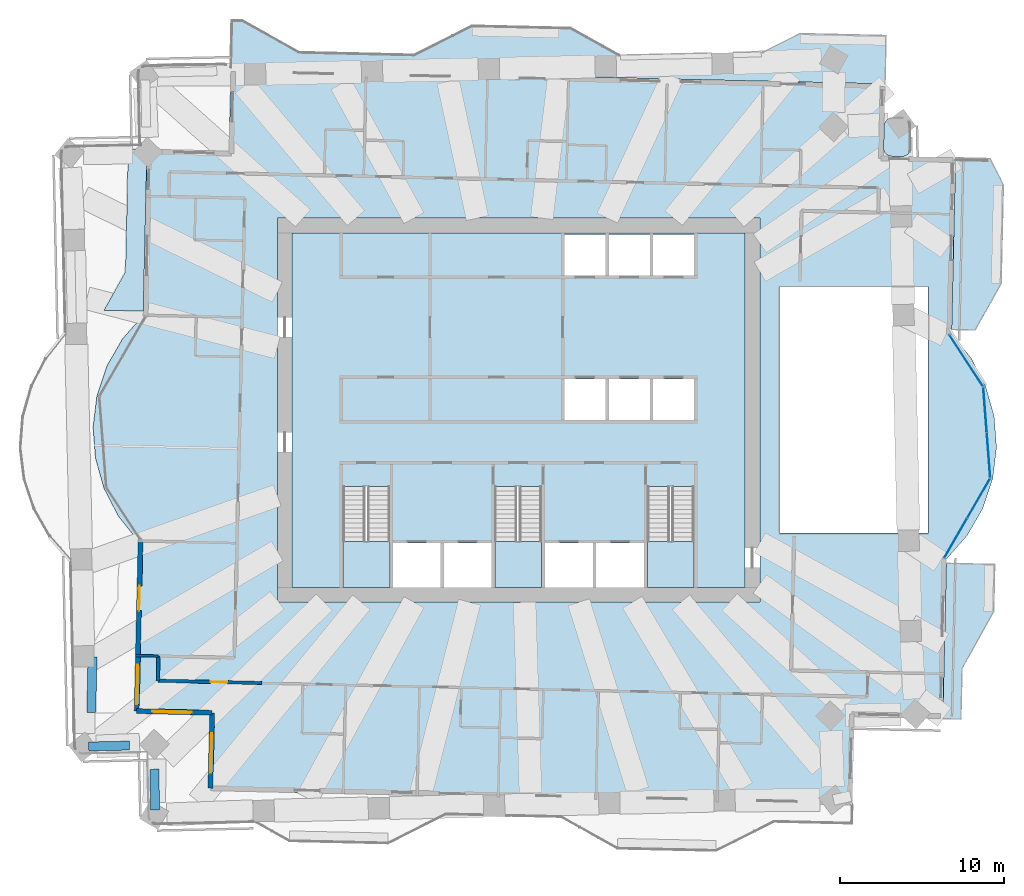
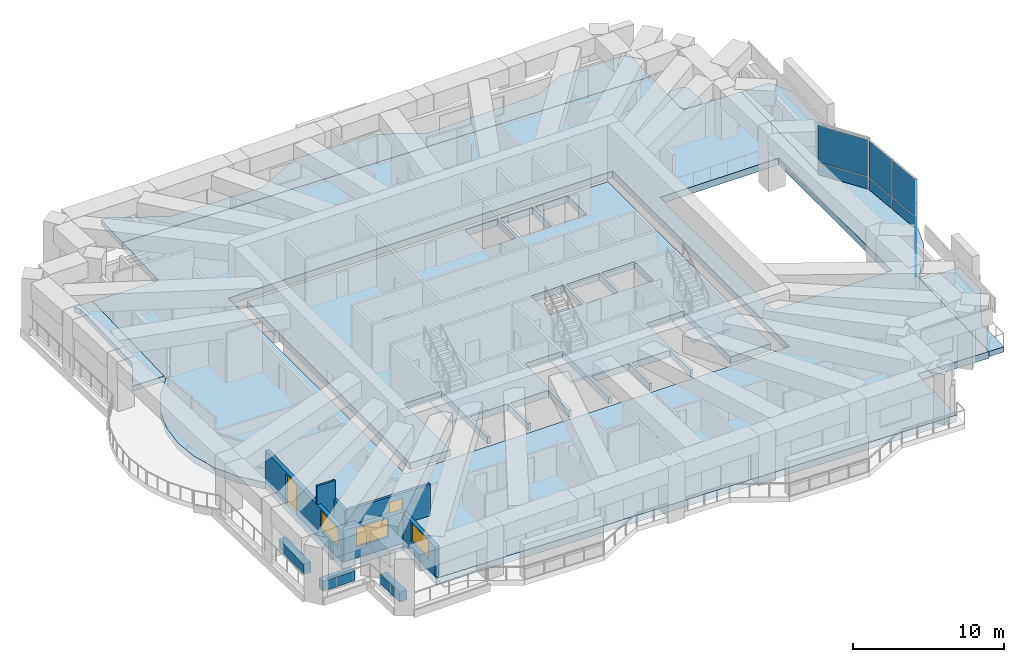
# One storey, part 7 of 17: 10 plates, 10 slabs, 9 walls, 3 windows, 2 doors, 5 openings, 6 elements without a shape of their own.
"""IFC4 building model written with IfcOpenShell, lengths in metres."""

from ifc_helpers import new_model, si_unit, direction, frame, frame_2d, origin, origin_2d, place, context, subcontext, project, spatial, polyline, rectangle, outline, extrude, material, layer, layer_set, type_object, element, fill, aggregate, save


model = new_model("IFC4")

# Units and contexts
model_context = context("Model", 3, precision=1e-05, world=origin(), true_north=direction((0.0, 1.0)))
body_context = subcontext(model_context, "Body", "Model", "MODEL_VIEW")
ifc_project = project(units=[si_unit("LENGTHUNIT", "METRE"), si_unit("AREAUNIT", "SQUARE_METRE"), si_unit("VOLUMEUNIT", "CUBIC_METRE"), si_unit("PLANEANGLEUNIT", "RADIAN"), si_unit("MASSUNIT", "GRAM", prefix="KILO")], contexts=[model_context])

# Site, building, storey
site_placement = place(None, origin())
site = spatial("IfcSite", under=ifc_project, at=site_placement, CompositionType="ELEMENT")
building_placement = place(site_placement, origin())
building = spatial("IfcBuilding", under=site, at=building_placement, Name="Mangrove Gate Tower", CompositionType="ELEMENT")
storey_placement = place(building_placement, frame((0.0, 0.0, 148.10009765625)))
storey = spatial("IfcBuildingStorey", under=building, at=storey_placement, Name="L37", CompositionType="ELEMENT", Elevation=148.10009765625)

# Slabs
ifc_material_1 = material(Name="Porcelain tile")
ifc_layer_1 = layer(ifc_material_1, 0.02001953125, Name="Tile finish")
ifc_material_2 = material(Name="Cement sand screed")
ifc_layer_2 = layer(ifc_material_2, 0.0400390625, Name="Screed laid to falls")
ifc_material_3 = material(Name="Bituminous waterproofing membrane")
ifc_layer_3 = layer(ifc_material_3, 0.00390625, Name="Waterproofing")
ifc_material_4 = material(Name="Concrete C40/50", Category="concrete")
ifc_layer_4 = layer(ifc_material_4, 0.340087890625, Name="Balcony structural slab")
ifc_material_5 = material(Name="Limestone", Category="masonry")
ifc_layer_5 = layer(ifc_material_5, 0.01611328125, Name="Soffit lining")
ifc_layer_set_1 = layer_set([ifc_layer_1, ifc_layer_2, ifc_layer_3, ifc_layer_4, ifc_layer_5], Name="Balcony slab 420 C40/50")
slab_type_1 = type_object("IfcSlabType", Name="Balcony slab 420 C40/50", PredefinedType="FLOOR", material=ifc_layer_set_1)
slab_1_placement = place(storey_placement, frame((0.0, 0.0, -0.420166015625)))
element("IfcSlab", 1, at=slab_1_placement, inside=storey, type_object=slab_type_1, Name="BALCONY L37 E0", PredefinedType="FLOOR", context=body_context, shape_type="SweptSolid", body=[
    extrude(outline(polyline([(26.9970703125, -18.8310546875), (27.06689453125, -15.73095703125), (28.99609375, -12.27392578125), (29.06103515625, -9.39990234375), (26.072021484375, -9.3330078125), (26.007080078125, -12.2060546875), (25.927001953125, -15.7060546875), (25.85693359375, -18.804931640625), (26.9970703125, -18.8310546875)])), origin(), (0.0, 0.0, 1.0), 0.420166015625),
])
slab_2_placement = place(storey_placement, frame((0.0, 0.0, -0.420166015625)))
element("IfcSlab", 2, at=slab_2_placement, inside=storey, type_object=slab_type_1, Name="BALCONY L37 E1", PredefinedType="FLOOR", context=body_context, shape_type="SweptSolid", body=[
    extrude(outline(polyline([(27.864990234375, 4.881103515625), (29.449951171875, 7.720947265625), (29.5859375, 13.718994140625), (28.777099609375, 15.337890625), (26.633056640625, 15.385986328125), (26.596923828125, 13.787109375), (26.4609375, 7.7880859375), (26.39501953125, 4.9140625), (27.864990234375, 4.881103515625)])), origin(), (0.0, 0.0, 1.0), 0.420166015625),
])
slab_3_placement = place(storey_placement, frame((0.0, 0.0, -0.420166015625)))
element("IfcSlab", 3, at=slab_3_placement, inside=storey, type_object=slab_type_1, Name="BALCONY L37 N0", PredefinedType="FLOOR", context=body_context, shape_type="SweptSolid", body=[
    extrude(outline(polyline([(22.333984375, 19.885009765625), (22.402099609375, 22.8740234375), (17.1630859375, 22.992919921875), (14.798095703125, 21.81201171875), (14.79296875, 21.81201171875), (14.7880859375, 21.81689453125), (14.785888671875, 21.821044921875), (14.787109375, 21.827880859375), (6.215087890625, 21.633056640625), (6.216064453125, 21.626953125), (6.214111328125, 21.6220703125), (6.2099609375, 21.618896484375), (6.205078125, 21.617919921875), (6.198974609375, 21.618896484375), (3.1669921875, 23.31103515625), (-2.83203125, 23.447021484375), (-6.3740234375, 21.677978515625), (-13.367919921875, 21.8359375), (-13.373046875, 21.8369140625), (-16.827880859375, 23.764892578125), (-17.468017578125, 23.779052734375), (-17.535888671875, 20.7900390625), (22.333984375, 19.885009765625)])), origin(), (0.0, 0.0, 1.0), 0.420166015625),
])
slab_4_placement = place(storey_placement, frame((0.0, 0.0, -0.420166015625)))
element("IfcSlab", 4, at=slab_4_placement, inside=storey, type_object=slab_type_1, Name="BALCONY L37 W0", PredefinedType="FLOOR", context=body_context, shape_type="SweptSolid", body=[
    extrude(outline(polyline([(-24.052001953125, 15.93603515625), (-23.799072265625, 15.430908203125), (-23.9580078125, 8.431884765625), (-25.26708984375, 6.0869140625), (-22.8720703125, 6.032958984375), (-22.818115234375, 8.406982421875), (-22.658935546875, 15.405029296875), (-22.64794921875, 15.905029296875), (-24.052001953125, 15.93603515625)])), origin(), (0.0, 0.0, 1.0), 0.420166015625),
])
ifc_material_6 = material(Name="Concrete C40/50", Category="concrete")
ifc_layer_6 = layer(ifc_material_6, 0.550048828125)
ifc_layer_set_2 = layer_set([ifc_layer_6], Name="Core floor slab 550 C40/50")
slab_type_2 = type_object("IfcSlabType", Name="Core floor slab 550 C40/50", PredefinedType="FLOOR", material=ifc_layer_set_2)
slab_5_placement = place(storey_placement, frame((0.0, 0.0, -0.550048828125)))
element("IfcSlab", 5, at=slab_5_placement, inside=storey, type_object=slab_type_2, Name="SLAB-L37-CORE-1", PredefinedType="FLOOR", context=body_context, shape_type="SweptSolid", body=[
    extrude(outline(polyline([(-13.800048828125, -10.800048828125), (-13.800048828125, 10.800048828125), (13.800048828125, 10.800048828125), (13.800048828125, -10.800048828125), (10.699951171875, -10.800048828125), (10.699951171875, -4.653076171875), (7.85009765625, -4.653076171875), (7.85009765625, -10.800048828125), (7.64990234375, -10.800048828125), (7.64990234375, -8.10009765625), (4.72509765625, -8.10009765625), (4.72509765625, -10.800048828125), (4.52490234375, -10.800048828125), (4.52490234375, -8.10009765625), (1.60009765625, -8.10009765625), (1.60009765625, -10.800048828125), (1.39990234375, -10.800048828125), (1.39990234375, -4.653076171875), (-1.449951171875, -4.653076171875), (-1.449951171875, -10.800048828125), (-1.64990234375, -10.800048828125), (-1.64990234375, -8.10009765625), (-4.550048828125, -8.10009765625), (-4.550048828125, -10.800048828125), (-4.75, -10.800048828125), (-4.75, -8.10009765625), (-7.64990234375, -8.10009765625), (-7.64990234375, -10.800048828125), (-7.85009765625, -10.800048828125), (-7.85009765625, -4.653076171875), (-10.699951171875, -4.653076171875), (-10.699951171875, -10.800048828125), (-13.800048828125, -10.800048828125)]), holes=[polyline([(5.300048828125, -0.60009765625), (5.300048828125, 1.89990234375), (2.800048828125, 1.89990234375), (2.800048828125, -0.60009765625), (5.300048828125, -0.60009765625)]), polyline([(5.300048828125, 10.699951171875), (2.800048828125, 10.699951171875), (2.800048828125, 8.199951171875), (5.300048828125, 8.199951171875), (5.300048828125, 10.699951171875)]), polyline([(8.0, -0.60009765625), (8.0, 1.89990234375), (5.5, 1.89990234375), (5.5, -0.60009765625), (8.0, -0.60009765625)]), polyline([(10.699951171875, -0.60009765625), (10.699951171875, 1.89990234375), (8.199951171875, 1.89990234375), (8.199951171875, -0.60009765625), (10.699951171875, -0.60009765625)]), polyline([(8.0, 8.199951171875), (8.0, 10.699951171875), (5.5, 10.699951171875), (5.5, 8.199951171875), (8.0, 8.199951171875)]), polyline([(10.699951171875, 8.199951171875), (10.699951171875, 10.699951171875), (8.199951171875, 10.699951171875), (8.199951171875, 8.199951171875), (10.699951171875, 8.199951171875)])]), origin(), (0.0, 0.0, 1.0), 0.550048828125),
])

# Stair, slab
ifc_material_7 = material(Name="Concrete C40/50", Category="concrete")
stair_type = type_object("IfcStairType", Name="Core stair 1350", PredefinedType="HALF_TURN_STAIR", material=ifc_material_7)
stair_1_placement = place(storey_placement, origin())
stair_1 = element("IfcStair", 6, at=stair_1_placement, inside=storey, type_object=stair_type, Name="L37 Stair 1", PredefinedType="HALF_TURN_STAIR")
ifc_material_8 = material(Name="Concrete C40/50", Category="concrete")
ifc_layer_7 = layer(ifc_material_8, 0.199951171875)
ifc_layer_set_3 = layer_set([ifc_layer_7], Name="Core stair landing 200")
slab_type_3 = type_object("IfcSlabType", Name="Core stair landing 200", PredefinedType="LANDING", material=ifc_layer_set_3)
slab_6_placement = place(storey_placement, frame((0.0, 0.0, 2.099853515625)))
slab_6 = element("IfcSlab", 7, at=slab_6_placement, type_object=slab_type_3, Name="ST1 landing 1", PredefinedType="LANDING", context=body_context, shape_type="SweptSolid", body=[
    extrude(outline(polyline([(-10.699951171875, -8.010009765625), (-10.699951171875, -10.800048828125), (-7.85009765625, -10.800048828125), (-7.85009765625, -8.010009765625), (-10.699951171875, -8.010009765625)])), origin(), (0.0, 0.0, 1.0), 0.199951171875),
])
aggregate(stair_1, [slab_6])

stair_2_placement = place(storey_placement, origin())
stair_2 = element("IfcStair", 8, at=stair_2_placement, inside=storey, type_object=stair_type, Name="L37 Stair 2", PredefinedType="HALF_TURN_STAIR")
slab_7_placement = place(storey_placement, frame((0.0, 0.0, 2.099853515625)))
slab_7 = element("IfcSlab", 9, at=slab_7_placement, type_object=slab_type_3, Name="ST2 landing 1", PredefinedType="LANDING", context=body_context, shape_type="SweptSolid", body=[
    extrude(outline(polyline([(-1.449951171875, -8.010009765625), (-1.449951171875, -10.800048828125), (1.39990234375, -10.800048828125), (1.39990234375, -8.010009765625), (-1.449951171875, -8.010009765625)])), origin(), (0.0, 0.0, 1.0), 0.199951171875),
])
aggregate(stair_2, [slab_7])

stair_3_placement = place(storey_placement, origin())
stair_3 = element("IfcStair", 10, at=stair_3_placement, inside=storey, type_object=stair_type, Name="L37 Stair 3", PredefinedType="HALF_TURN_STAIR")
slab_8_placement = place(storey_placement, frame((0.0, 0.0, 2.099853515625)))
slab_8 = element("IfcSlab", 11, at=slab_8_placement, type_object=slab_type_3, Name="ST3 landing 1", PredefinedType="LANDING", context=body_context, shape_type="SweptSolid", body=[
    extrude(outline(polyline([(7.85009765625, -8.010009765625), (7.85009765625, -10.800048828125), (10.699951171875, -10.800048828125), (10.699951171875, -8.010009765625), (7.85009765625, -8.010009765625)])), origin(), (0.0, 0.0, 1.0), 0.199951171875),
])
aggregate(stair_3, [slab_8])

# Slab
ifc_material_9 = material(Name="Concrete C40/50", Category="concrete")
ifc_layer_8 = layer(ifc_material_9, 0.550048828125)
ifc_layer_set_4 = layer_set([ifc_layer_8], Name="Floor slab 550 C40/50")
slab_type_4 = type_object("IfcSlabType", Name="Floor slab 550 C40/50", PredefinedType="FLOOR", material=ifc_layer_set_4)
slab_9_placement = place(storey_placement, frame((0.0, 0.0, -0.550048828125)))
element("IfcSlab", 12, at=slab_9_placement, inside=storey, type_object=slab_type_4, Name="Floor slab L37", PredefinedType="FLOOR", context=body_context, shape_type="SweptSolid", body=[
    extrude(outline(polyline([(-18.93408203125, -23.189697265625), (20.3359375, -24.080810546875), (20.45849609375, -18.68212890625), (25.85693359375, -18.8046875), (26.07763671875, -9.08251953125), (27.340576171875, -7.64599609375), (28.293701171875, -5.98779296875), (28.899169921875, -4.17333984375), (29.1328125, -2.27490234375), (28.985595703125, -0.36767578125), (28.463134765625, 1.472412109375), (27.586181640625, 3.172119140625), (26.3896484375, 4.66455078125), (26.633056640625, 15.386474609375), (22.234130859375, 15.486328125), (22.333984375, 19.88525390625), (-17.535888671875, 20.789794921875), (-17.649169921875, 15.791259765625), (-22.64794921875, 15.904541015625), (-22.877685546875, 5.782470703125), (-24.140625, 4.345947265625), (-25.09375, 2.687744140625), (-25.69921875, 0.873291015625), (-25.932861328125, -1.025146484375), (-25.78564453125, -2.932373046875), (-25.26318359375, -4.772216796875), (-24.38623046875, -6.47216796875), (-23.189697265625, -7.964599609375), (-23.428466796875, -18.486572265625), (-18.82958984375, -18.5908203125), (-18.93408203125, -23.189697265625)]), holes=[polyline([(15.89990234375, 7.5), (24.964111328125, 7.5), (24.964111328125, -7.5), (15.89990234375, -7.5), (15.89990234375, 7.5)]), polyline([(-14.699951171875, -11.699951171875), (-14.699951171875, 11.699951171875), (14.699951171875, 11.699951171875), (14.699951171875, -11.699951171875), (-14.699951171875, -11.699951171875)])]), origin(), (0.0, 0.0, 1.0), 0.550048828125),
])

# Curtain wall, plates
ifc_material_10 = material(Name="Aluminium and glass curtain wall", Category="aluminium")
curtain_wall_type = type_object("IfcCurtainWallType", Name="Sky-lounge glazing wall", PredefinedType="NOTDEFINED", material=ifc_material_10)
curtain_wall_1_placement = place(storey_placement, origin())
curtain_wall_1 = element("IfcCurtainWall", 13, at=curtain_wall_1_placement, inside=storey, type_object=curtain_wall_type, Name="Sky-lounge glazing E1f1", PredefinedType="NOTDEFINED")
ifc_material_11 = material(Name="Laminated low-e glass", Category="glass")
ifc_layer_9 = layer(ifc_material_11, 0.030029296875)
ifc_layer_set_5 = layer_set([ifc_layer_9], Name="Sky-lounge glazing panel 30")
plate_type = type_object("IfcPlateType", Name="Sky-lounge glazing panel 30", PredefinedType="CURTAIN_PANEL", material=ifc_layer_set_5)
plate_1_placement = place(storey_placement, frame((26.642333984375, -7.79052734375, 0.0), z_axis=(0.0, 0.0, 1.0), x_axis=(0.500418160284, 0.865783844189, 0.0)))
plate_1 = element("IfcPlate", 14, at=plate_1_placement, type_object=plate_type, Name="CWK panel 1.1", PredefinedType="CURTAIN_PANEL", context=body_context, shape_type="SweptSolid", body=[
    extrude(rectangle(XDim=2.73095703125, YDim=0.030029296875, at=origin_2d()), origin(), (0.0, 0.0, 1.0), 0.969970703125),
])
plate_2_placement = place(storey_placement, frame((26.642333984375, -7.79052734375, 1.030029296875), z_axis=(0.0, 0.0, 1.0), x_axis=(0.500418160284, 0.865783844189, 0.0)))
plate_2 = element("IfcPlate", 15, at=plate_2_placement, type_object=plate_type, Name="CWK panel 1.2", PredefinedType="CURTAIN_PANEL", context=body_context, shape_type="SweptSolid", body=[
    extrude(rectangle(XDim=2.73095703125, YDim=0.030029296875, at=origin_2d()), origin(), (0.0, 0.0, 1.0), 2.9599609375),
])
plate_3_placement = place(storey_placement, frame((28.038818359375, -5.3740234375, 0.0), z_axis=(0.0, 0.0, 1.0), x_axis=(0.500418160284, 0.865783844189, 0.0)))
plate_3 = element("IfcPlate", 16, at=plate_3_placement, type_object=plate_type, Name="CWK panel 2.1", PredefinedType="CURTAIN_PANEL", context=body_context, shape_type="SweptSolid", body=[
    extrude(rectangle(XDim=2.73095703125, YDim=0.030029296875, at=origin_2d()), origin(), (0.0, 0.0, 1.0), 0.969970703125),
])
plate_4_placement = place(storey_placement, frame((28.038818359375, -5.3740234375, 1.030029296875), z_axis=(0.0, 0.0, 1.0), x_axis=(0.500418160284, 0.865783844189, 0.0)))
plate_4 = element("IfcPlate", 17, at=plate_4_placement, type_object=plate_type, Name="CWK panel 2.2", PredefinedType="CURTAIN_PANEL", context=body_context, shape_type="SweptSolid", body=[
    extrude(rectangle(XDim=2.73095703125, YDim=0.030029296875, at=origin_2d()), origin(), (0.0, 0.0, 1.0), 2.9599609375),
])
aggregate(curtain_wall_1, [plate_1, plate_2, plate_3, plate_4])

curtain_wall_2_placement = place(storey_placement, origin())
curtain_wall_2 = element("IfcCurtainWall", 18, at=curtain_wall_2_placement, inside=storey, type_object=curtain_wall_type, Name="Sky-lounge glazing E1f2", PredefinedType="NOTDEFINED")
plate_5_placement = place(storey_placement, frame((28.643798828125, -2.73583984375, 0.0), z_axis=(0.0, 0.0, 1.0), x_axis=(-0.077023348403, 0.997029289339, 0.0)))
plate_5 = element("IfcPlate", 19, at=plate_5_placement, type_object=plate_type, Name="CWK panel 1.1", PredefinedType="CURTAIN_PANEL", context=body_context, shape_type="SweptSolid", body=[
    extrude(rectangle(XDim=2.69677734375, YDim=0.030029296875, at=origin_2d()), origin(), (0.0, 0.0, 1.0), 0.969970703125),
])
plate_6_placement = place(storey_placement, frame((28.643798828125, -2.73583984375, 1.030029296875), z_axis=(0.0, 0.0, 1.0), x_axis=(-0.077023348403, 0.997029289339, 0.0)))
plate_6 = element("IfcPlate", 20, at=plate_6_placement, type_object=plate_type, Name="CWK panel 1.2", PredefinedType="CURTAIN_PANEL", context=body_context, shape_type="SweptSolid", body=[
    extrude(rectangle(XDim=2.69677734375, YDim=0.030029296875, at=origin_2d()), origin(), (0.0, 0.0, 1.0), 2.9599609375),
])
plate_7_placement = place(storey_placement, frame((28.431396484375, 0.0126953125, 0.0), z_axis=(0.0, 0.0, 1.0), x_axis=(-0.077023348403, 0.997029289339, 0.0)))
plate_7 = element("IfcPlate", 21, at=plate_7_placement, type_object=plate_type, Name="CWK panel 2.1", PredefinedType="CURTAIN_PANEL", context=body_context, shape_type="SweptSolid", body=[
    extrude(rectangle(XDim=2.69677734375, YDim=0.030029296875, at=origin_2d()), origin(), (0.0, 0.0, 1.0), 0.969970703125),
])
plate_8_placement = place(storey_placement, frame((28.431396484375, 0.0126953125, 1.030029296875), z_axis=(0.0, 0.0, 1.0), x_axis=(-0.077023348403, 0.997029289339, 0.0)))
plate_8 = element("IfcPlate", 22, at=plate_8_placement, type_object=plate_type, Name="CWK panel 2.2", PredefinedType="CURTAIN_PANEL", context=body_context, shape_type="SweptSolid", body=[
    extrude(rectangle(XDim=2.69677734375, YDim=0.030029296875, at=origin_2d()), origin(), (0.0, 0.0, 1.0), 2.9599609375),
])
aggregate(curtain_wall_2, [plate_5, plate_6, plate_7, plate_8])

curtain_wall_3_placement = place(storey_placement, origin())
curtain_wall_3 = element("IfcCurtainWall", 23, at=curtain_wall_3_placement, inside=storey, type_object=curtain_wall_type, Name="Sky-lounge glazing E1f3", PredefinedType="NOTDEFINED")
plate_9_placement = place(storey_placement, frame((27.28076171875, 3.01513671875, 0.0), z_axis=(0.0, 0.0, 1.0), x_axis=(-0.546235085045, 0.837631919083, 0.0)))
plate_9 = element("IfcPlate", 24, at=plate_9_placement, type_object=plate_type, Name="CWK panel 1.1", PredefinedType="CURTAIN_PANEL", context=body_context, shape_type="SweptSolid", body=[
    extrude(rectangle(XDim=3.696044921875, YDim=0.030029296875, at=origin_2d()), origin(), (0.0, 0.0, 1.0), 0.969970703125),
])
plate_10_placement = place(storey_placement, frame((27.28076171875, 3.01513671875, 1.030029296875), z_axis=(0.0, 0.0, 1.0), x_axis=(-0.546235085045, 0.837631919083, 0.0)))
plate_10 = element("IfcPlate", 25, at=plate_10_placement, type_object=plate_type, Name="CWK panel 1.2", PredefinedType="CURTAIN_PANEL", context=body_context, shape_type="SweptSolid", body=[
    extrude(rectangle(XDim=3.696044921875, YDim=0.030029296875, at=origin_2d()), origin(), (0.0, 0.0, 1.0), 2.9599609375),
])
aggregate(curtain_wall_3, [plate_9, plate_10])

# Slab
ifc_material_12 = material(Name="Granite", Category="masonry")
ifc_layer_10 = layer(ifc_material_12, 0.030029296875, Name="Granite paving")
ifc_layer_11 = layer(ifc_material_2, 0.0400390625, Name="Bedding screed")
ifc_layer_12 = layer(ifc_material_3, 0.0048828125, Name="Waterproofing")
ifc_material_13 = material(Name="Extruded polystyrene insulation")
ifc_layer_13 = layer(ifc_material_13, 0.0400390625, Name="Insulation")
ifc_layer_14 = layer(ifc_material_4, 0.304931640625, Name="Terrace structural slab")
ifc_layer_set_6 = layer_set([ifc_layer_10, ifc_layer_11, ifc_layer_12, ifc_layer_13, ifc_layer_14], Name="Terrace slab C40/50")
slab_type_5 = type_object("IfcSlabType", Name="Terrace slab C40/50", PredefinedType="FLOOR", material=ifc_layer_set_6)
slab_10_placement = place(storey_placement, frame((0.0, 0.0, -0.420166015625)))
element("IfcSlab", 26, at=slab_10_placement, inside=storey, type_object=slab_type_5, Name="TERRACE L37 1", PredefinedType="FLOOR", context=body_context, shape_type="SweptSolid", body=[
    extrude(outline(polyline([(23.3369140625, 17.821044921875), (22.763916015625, 17.80810546875), (22.717041015625, 17.803955078125), (22.669921875, 17.797119140625), (22.6240234375, 17.783935546875), (22.5791015625, 17.76806640625), (22.535888671875, 17.7470703125), (22.4951171875, 17.721923828125), (22.45703125, 17.693115234375), (22.422119140625, 17.660888671875), (22.389892578125, 17.6259765625), (22.361083984375, 17.587890625), (22.3369140625, 17.547119140625), (22.31591796875, 17.50390625), (22.299072265625, 17.4599609375), (22.287109375, 17.4140625), (22.279052734375, 17.366943359375), (22.27587890625, 17.319091796875), (22.2451171875, 15.986083984375), (22.2470703125, 15.93701171875), (22.2529296875, 15.887939453125), (22.263916015625, 15.841064453125), (22.279052734375, 15.7939453125), (22.299072265625, 15.7490234375), (22.322998046875, 15.70703125), (22.35205078125, 15.666015625), (22.384033203125, 15.62890625), (22.4189453125, 15.595947265625), (22.4580078125, 15.56494140625), (22.5, 15.5390625), (22.5439453125, 15.51708984375), (22.589111328125, 15.5), (22.636962890625, 15.487060546875), (22.68505859375, 15.47802734375), (22.73388671875, 15.47509765625), (23.367919921875, 15.4609375), (23.41796875, 15.4619140625), (23.468017578125, 15.468017578125), (23.51708984375, 15.47998046875), (23.56494140625, 15.49609375), (23.611083984375, 15.51708984375), (23.654052734375, 15.54296875), (23.695068359375, 15.572998046875), (23.73193359375, 15.60693359375), (23.76611328125, 15.64404296875), (23.7958984375, 15.68505859375), (23.822021484375, 15.72802734375), (23.843017578125, 15.77392578125), (23.85888671875, 15.822021484375), (23.87109375, 15.87109375), (23.876953125, 15.9208984375), (23.87890625, 15.971923828125), (23.847900390625, 17.33203125), (23.843994140625, 17.381103515625), (23.8359375, 17.429931640625), (23.822998046875, 17.47705078125), (23.805908203125, 17.52294921875), (23.783935546875, 17.56689453125), (23.757080078125, 17.60791015625), (23.72705078125, 17.64697265625), (23.693115234375, 17.681884765625), (23.656005859375, 17.714111328125), (23.615966796875, 17.742919921875), (23.573974609375, 17.76708984375), (23.529052734375, 17.787109375), (23.48193359375, 17.802978515625), (23.43408203125, 17.81298828125), (23.385986328125, 17.819091796875), (23.3369140625, 17.821044921875)])), origin(), (0.0, 0.0, 1.0), 0.420166015625),
])

# Wall
ifc_material_14 = material(Name="Gypsum board on steel stud, EI 60", Category="steel")
ifc_layer_15 = layer(ifc_material_14, 0.199951171875)
ifc_layer_set_7 = layer_set([ifc_layer_15], Name="Corridor wall EI 60")
wall_type_1 = type_object("IfcWallType", Name="Corridor wall EI 60", PredefinedType="PARTITIONING", material=ifc_layer_set_7)
wall_1_placement = place(storey_placement, frame((-21.98291015625, -16.492919921875, 0.0), z_axis=(0.0, 0.0, 1.0), x_axis=(0.022617910375, 0.999744182344, 0.0)))
element("IfcWall", 27, at=wall_1_placement, inside=storey, type_object=wall_type_1, Name="WALL-L37-016", PredefinedType="PARTITIONING", context=body_context, shape_type="SweptSolid", body=[
    extrude(rectangle(XDim=1.50048828125, YDim=0.199951171875, at=frame_2d((0.750244140625, 0.0))), origin(), (0.0, 0.0, 1.0), 2.5498046875),
])

# Wall, opening, door
wall_2_placement = place(storey_placement, frame((-21.98291015625, -16.489013671875, 0.0), z_axis=(0.0, 0.0, 1.0), x_axis=(0.999744930163, -0.022584831499, 0.0)))
wall_2 = element("IfcWall", 28, at=wall_2_placement, inside=storey, type_object=wall_type_1, Name="WALL-L37-018", PredefinedType="PARTITIONING", context=body_context, shape_type="SweptSolid", body=[
    extrude(rectangle(XDim=6.334716796875, YDim=0.199951171875, at=frame_2d((3.16748046875, 0.0))), origin(), (0.0, 0.0, 1.0), 2.5498046875),
])
opening_1_placement = place(wall_2_placement, frame((3.22509765625, 0.0, 0.0)))
opening_1 = element("IfcOpeningElement", 29, at=opening_1_placement, cuts=wall_2, Name="Opening AD", PredefinedType="OPENING", context=body_context, shape_type="SweptSolid", body=[
    extrude(rectangle(XDim=1.0, YDim=2.10009765625, at=frame_2d((0.5, 1.050048828125))), frame((0.0, 0.10986328125, 0.0), z_axis=(0.0, -1.0, 0.0), x_axis=(1.0, 0.0, 0.0)), (0.0, 0.0, 1.0), 0.219970703125),
])
ifc_material_15 = material(Name="Timber door leaf", Category="wood")
door_type_1 = type_object("IfcDoorType", Name="Amenity door 1000", OperationType="SINGLE_SWING_LEFT", PredefinedType="DOOR", material=ifc_material_15)
door_1_placement = place(opening_1_placement, origin())
door_1 = element("IfcDoor", 30, at=door_1_placement, inside=storey, type_object=door_type_1, Name="DOOR-L37-LNG-c1a", OperationType="SINGLE_SWING_LEFT", OverallHeight=2.10009765625, OverallWidth=1.0, PredefinedType="DOOR", context=body_context, shape_type="SweptSolid", body=[
    extrude(rectangle(XDim=1.0, YDim=2.10009765625, at=frame_2d((0.5, 1.050048828125))), frame((0.0, 0.02490234375, 0.0), z_axis=(0.0, -1.0, 0.0), x_axis=(1.0, 0.0, 0.0)), (0.0, 0.0, 1.0), 0.050048828125),
])
fill(opening_1, door_1)

# Wall, openings, door, window
ifc_layer_16 = layer(ifc_material_5, 0.0400390625, Name="Limestone cladding")
ifc_material_16 = material(Name="Ventilated air gap")
ifc_layer_17 = layer(ifc_material_16, 0.0400390625, Name="Ventilated cavity")
ifc_material_17 = material(Name="Mineral wool insulation")
ifc_layer_18 = layer(ifc_material_17, 0.06005859375, Name="Insulation")
ifc_material_18 = material(Name="Breather membrane")
ifc_layer_19 = layer(ifc_material_18, 0.001953125, Name="Breather membrane")
ifc_material_19 = material(Name="Concrete C20/25 blockwork", Category="masonry")
ifc_layer_20 = layer(ifc_material_19, 0.14990234375, Name="Blockwork backing wall")
ifc_material_20 = material(Name="Gypsum plaster")
ifc_layer_21 = layer(ifc_material_20, 0.008056640625, Name="Internal plaster")
ifc_layer_set_8 = layer_set([ifc_layer_16, ifc_layer_17, ifc_layer_18, ifc_layer_19, ifc_layer_20, ifc_layer_21], Name="External wall 300 limestone cladding")
wall_type_2 = type_object("IfcWallType", Name="External wall 300 limestone cladding", PredefinedType="SOLIDWALL", material=ifc_layer_set_8)
wall_3_placement = place(storey_placement, frame((-23.0380859375, -7.9130859375, 0.0), z_axis=(0.0, 0.0, 1.0), x_axis=(-0.022705985163, -0.999742185885, 0.0)))
wall_3 = element("IfcWall", 31, at=wall_3_placement, inside=storey, type_object=wall_type_2, Name="WALL-L37-W10", PredefinedType="SOLIDWALL", context=body_context, shape_type="SweptSolid", body=[
    extrude(rectangle(XDim=10.4296875, YDim=0.300048828125, at=frame_2d((5.21484375, 0.0))), origin(), (0.0, 0.0, 1.0), 2.5498046875),
])
opening_2_placement = place(wall_3_placement, frame((2.803955078125, 0.0, 0.0)))
opening_2 = element("IfcOpeningElement", 32, at=opening_2_placement, cuts=wall_3, Name="Opening BD1", PredefinedType="OPENING", context=body_context, shape_type="SweptSolid", body=[
    extrude(rectangle(XDim=1.5, YDim=2.39990234375, at=frame_2d((0.75, 1.199951171875))), frame((0.0, 0.159912109375, 0.0), z_axis=(0.0, -1.0, 0.0), x_axis=(1.0, 0.0, 0.0)), (0.0, 0.0, 1.0), 0.320068359375),
])
opening_3_placement = place(wall_3_placement, frame((7.615966796875, 0.0, 0.89990234375)))
opening_3 = element("IfcOpeningElement", 33, at=opening_3_placement, cuts=wall_3, Name="Opening W2", PredefinedType="OPENING", context=body_context, shape_type="SweptSolid", body=[
    extrude(rectangle(XDim=2.39990234375, YDim=1.5, at=frame_2d((1.199951171875, 0.75))), frame((0.0, 0.159912109375, 0.0), z_axis=(0.0, -1.0, 0.0), x_axis=(1.0, 0.0, 0.0)), (0.0, 0.0, 1.0), 0.320068359375),
])
ifc_material_21 = material(Name="Aluminium frame with laminated clear glass", Category="aluminium")
door_type_2 = type_object("IfcDoorType", Name="Balcony sliding door 1500x2400", OperationType="SLIDING_TO_LEFT", PredefinedType="DOOR", material=ifc_material_21)
door_2_placement = place(opening_2_placement, origin())
door_2 = element("IfcDoor", 34, at=door_2_placement, inside=storey, type_object=door_type_2, Name="DOOR-L37-W10-1", OperationType="SLIDING_TO_LEFT", OverallHeight=2.39990234375, OverallWidth=1.5, PredefinedType="DOOR", context=body_context, shape_type="SweptSolid", body=[
    extrude(rectangle(XDim=1.5, YDim=2.39990234375, at=frame_2d((0.75, 1.199951171875))), frame((0.0, 0.02490234375, 0.0), z_axis=(0.0, -1.0, 0.0), x_axis=(1.0, 0.0, 0.0)), (0.0, 0.0, 1.0), 0.050048828125),
])
fill(opening_2, door_2)
ifc_material_22 = material(Name="Aluminium frame with double-glazed low-e glass", Category="aluminium")
window_type = type_object("IfcWindowType", Name="Corner room window 2400x1500", PartitioningType="DOUBLE_PANEL_VERTICAL", PredefinedType="WINDOW", material=ifc_material_22)
window_1_placement = place(opening_3_placement, origin())
window_1 = element("IfcWindow", 35, at=window_1_placement, inside=storey, type_object=window_type, Name="WIN-L37-W10-2", OverallHeight=1.5, OverallWidth=2.39990234375, PartitioningType="DOUBLE_PANEL_VERTICAL", PredefinedType="WINDOW", context=body_context, shape_type="SweptSolid", body=[
    extrude(rectangle(XDim=2.39990234375, YDim=1.5, at=frame_2d((1.199951171875, 0.75))), frame((0.0, 0.030029296875, 0.0), z_axis=(0.0, -1.0, 0.0), x_axis=(1.0, 0.0, 0.0)), (0.0, 0.0, 1.0), 0.06005859375),
])
fill(opening_3, window_1)

# Wall, opening, window
wall_4_placement = place(storey_placement, frame((-23.27490234375, -18.340087890625, 0.0), z_axis=(0.0, 0.0, 1.0), x_axis=(0.999744377441, -0.022609285172, 0.0)))
wall_4 = element("IfcWall", 36, at=wall_4_placement, inside=storey, type_object=wall_type_2, Name="WALL-L37-S11", PredefinedType="SOLIDWALL", context=body_context, shape_type="SweptSolid", body=[
    extrude(rectangle(XDim=4.60009765625, YDim=0.300048828125, at=frame_2d((2.300048828125, 0.0))), origin(), (0.0, 0.0, 1.0), 2.5498046875),
])
opening_4_placement = place(wall_4_placement, frame((0.949951171875, 0.0, 0.89990234375)))
opening_4 = element("IfcOpeningElement", 37, at=opening_4_placement, cuts=wall_4, Name="Opening W2", PredefinedType="OPENING", context=body_context, shape_type="SweptSolid", body=[
    extrude(rectangle(XDim=2.39990234375, YDim=1.5, at=frame_2d((1.199951171875, 0.75))), frame((0.0, 0.159912109375, 0.0), z_axis=(0.0, -1.0, 0.0), x_axis=(1.0, 0.0, 0.0)), (0.0, 0.0, 1.0), 0.320068359375),
])
window_2_placement = place(opening_4_placement, origin())
window_2 = element("IfcWindow", 38, at=window_2_placement, inside=storey, type_object=window_type, Name="WIN-L37-S11-1", OverallHeight=1.5, OverallWidth=2.39990234375, PartitioningType="DOUBLE_PANEL_VERTICAL", PredefinedType="WINDOW", context=body_context, shape_type="SweptSolid", body=[
    extrude(rectangle(XDim=2.39990234375, YDim=1.5, at=frame_2d((1.199951171875, 0.75))), frame((0.0, 0.030029296875, 0.0), z_axis=(0.0, -1.0, 0.0), x_axis=(1.0, 0.0, 0.0)), (0.0, 0.0, 1.0), 0.06005859375),
])
fill(opening_4, window_2)

wall_5_placement = place(storey_placement, frame((-18.676025390625, -18.444091796875, 0.0), z_axis=(0.0, 0.0, 1.0), x_axis=(-0.022821468877, -0.999739556364, 0.0)))
wall_5 = element("IfcWall", 39, at=wall_5_placement, inside=storey, type_object=wall_type_2, Name="WALL-L37-W12", PredefinedType="SOLIDWALL", context=body_context, shape_type="SweptSolid", body=[
    extrude(rectangle(XDim=4.60009765625, YDim=0.300048828125, at=frame_2d((2.300048828125, 0.0))), origin(), (0.0, 0.0, 1.0), 2.449951171875),
])
opening_5_placement = place(wall_5_placement, frame((1.25, 0.0, 0.89990234375)))
opening_5 = element("IfcOpeningElement", 40, at=opening_5_placement, cuts=wall_5, Name="Opening W2", PredefinedType="OPENING", context=body_context, shape_type="SweptSolid", body=[
    extrude(rectangle(XDim=2.39990234375, YDim=1.5, at=frame_2d((1.199951171875, 0.75))), frame((0.0, 0.159912109375, 0.0), z_axis=(0.0, -1.0, 0.0), x_axis=(1.0, 0.0, 0.0)), (0.0, 0.0, 1.0), 0.320068359375),
])
window_3_placement = place(opening_5_placement, origin())
window_3 = element("IfcWindow", 41, at=window_3_placement, inside=storey, type_object=window_type, Name="WIN-L37-W12-1", OverallHeight=1.5, OverallWidth=2.39990234375, PartitioningType="DOUBLE_PANEL_VERTICAL", PredefinedType="WINDOW", context=body_context, shape_type="SweptSolid", body=[
    extrude(rectangle(XDim=2.39990234375, YDim=1.5, at=frame_2d((1.199951171875, 0.75))), frame((0.0, 0.030029296875, 0.0), z_axis=(0.0, -1.0, 0.0), x_axis=(1.0, 0.0, 0.0)), (0.0, 0.0, 1.0), 0.06005859375),
])
fill(opening_5, window_3)

# Walls
ifc_material_23 = material(Name="Gypsum board on steel stud, EI 60", Category="steel")
ifc_layer_22 = layer(ifc_material_23, 0.14990234375)
ifc_layer_set_9 = layer_set([ifc_layer_22], Name="Party wall 150 EI 60")
wall_type_3 = type_object("IfcWallType", Name="Party wall 150 EI 60", PredefinedType="PARTITIONING", material=ifc_layer_set_9)
wall_6_placement = place(storey_placement, frame((-23.347900390625, -14.95703125, 0.0), z_axis=(0.0, 0.0, 1.0), x_axis=(0.999740216184, -0.022792545827, 0.0)))
element("IfcWall", 42, at=wall_6_placement, inside=storey, type_object=wall_type_3, Name="WALL-L37-023", PredefinedType="PARTITIONING", context=body_context, shape_type="SweptSolid", body=[
    extrude(rectangle(XDim=1.403076171875, YDim=0.14990234375, at=frame_2d((0.70166015625, 0.0))), origin(), (0.0, 0.0, 1.0), 4.0498046875),
])
ifc_material_24 = material(Name="Concrete C32/40", Category="concrete")
ifc_layer_23 = layer(ifc_material_24, 0.199951171875, Name="Planter trough wall")
ifc_layer_24 = layer(ifc_material_3, 0.0048828125, Name="Waterproofing")
ifc_material_25 = material(Name="Drainage board and gravel")
ifc_layer_25 = layer(ifc_material_25, 0.044921875, Name="Drainage layer")
ifc_material_26 = material(Name="Planting soil")
ifc_layer_26 = layer(ifc_material_26, 0.300048828125, Name="Growing medium")
ifc_layer_set_10 = layer_set([ifc_layer_23, ifc_layer_24, ifc_layer_25, ifc_layer_26], Name="Planter wall 550 C32/40")
wall_type_4 = type_object("IfcWallType", Name="Planter wall 550 C32/40", PredefinedType="USERDEFINED", material=ifc_layer_set_10)
wall_7_placement = place(storey_placement, frame((-26.04296875, -18.427001953125, 0.0), z_axis=(0.0, 0.0, 1.0), x_axis=(0.022620270121, 0.999744128955, 0.0)))
element("IfcWall", 43, at=wall_7_placement, inside=storey, type_object=wall_type_4, Name="PLANTER L37 W1.1", ObjectType="PLANTER", PredefinedType="USERDEFINED", context=body_context, shape_type="SweptSolid", body=[
    extrude(rectangle(XDim=3.39990234375, YDim=0.550048828125, at=frame_2d((1.699951171875, 0.0))), origin(), (0.0, 0.0, 1.0), 0.7998046875),
])
wall_8_placement = place(storey_placement, frame((-22.14697265625, -24.3720703125, 0.0), z_axis=(0.0, 0.0, 1.0), x_axis=(-0.022473953195, 0.999747428818, 0.0)))
element("IfcWall", 44, at=wall_8_placement, inside=storey, type_object=wall_type_4, Name="PLANTER L37 T3.6.6", ObjectType="PLANTER", PredefinedType="USERDEFINED", context=body_context, shape_type="SweptSolid", body=[
    extrude(rectangle(XDim=2.48779296875, YDim=0.550048828125, at=frame_2d((1.243896484375, 0.0))), origin(), (0.0, 0.0, 1.0), 0.7998046875),
])
wall_9_placement = place(storey_placement, frame((-23.714111328125, -20.44189453125, 0.0), z_axis=(0.0, 0.0, 1.0), x_axis=(-0.999745168975, -0.022574257693, 0.0)))
element("IfcWall", 45, at=wall_9_placement, inside=storey, type_object=wall_type_4, Name="PLANTER L37 T3.6.9", ObjectType="PLANTER", PredefinedType="USERDEFINED", context=body_context, shape_type="SweptSolid", body=[
    extrude(rectangle(XDim=2.487548828125, YDim=0.550048828125, at=frame_2d((1.24365234375, 0.0))), origin(), (0.0, 0.0, 1.0), 0.7998046875),
])

save(model, "model.ifc")
